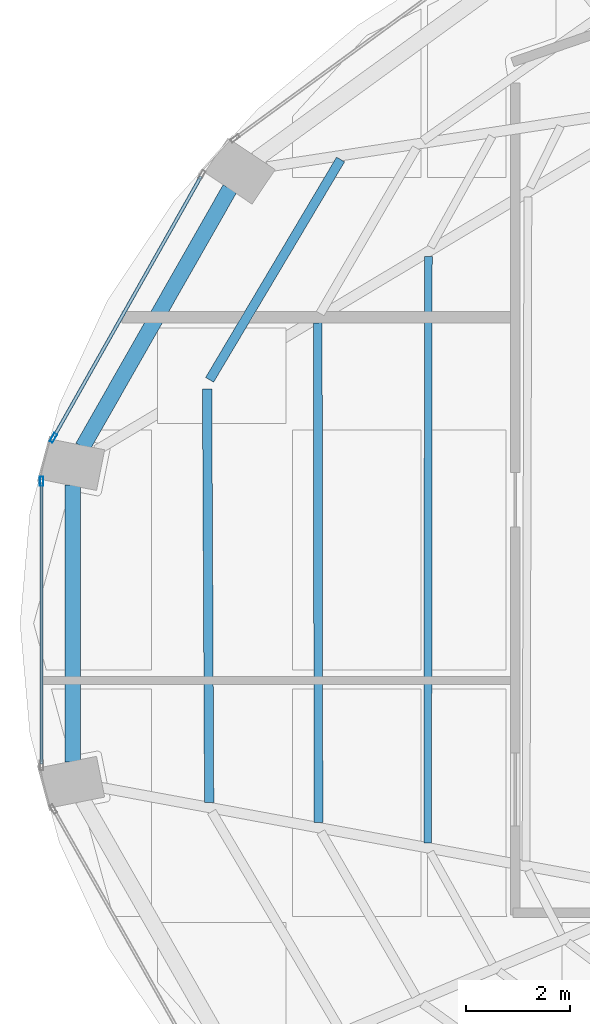
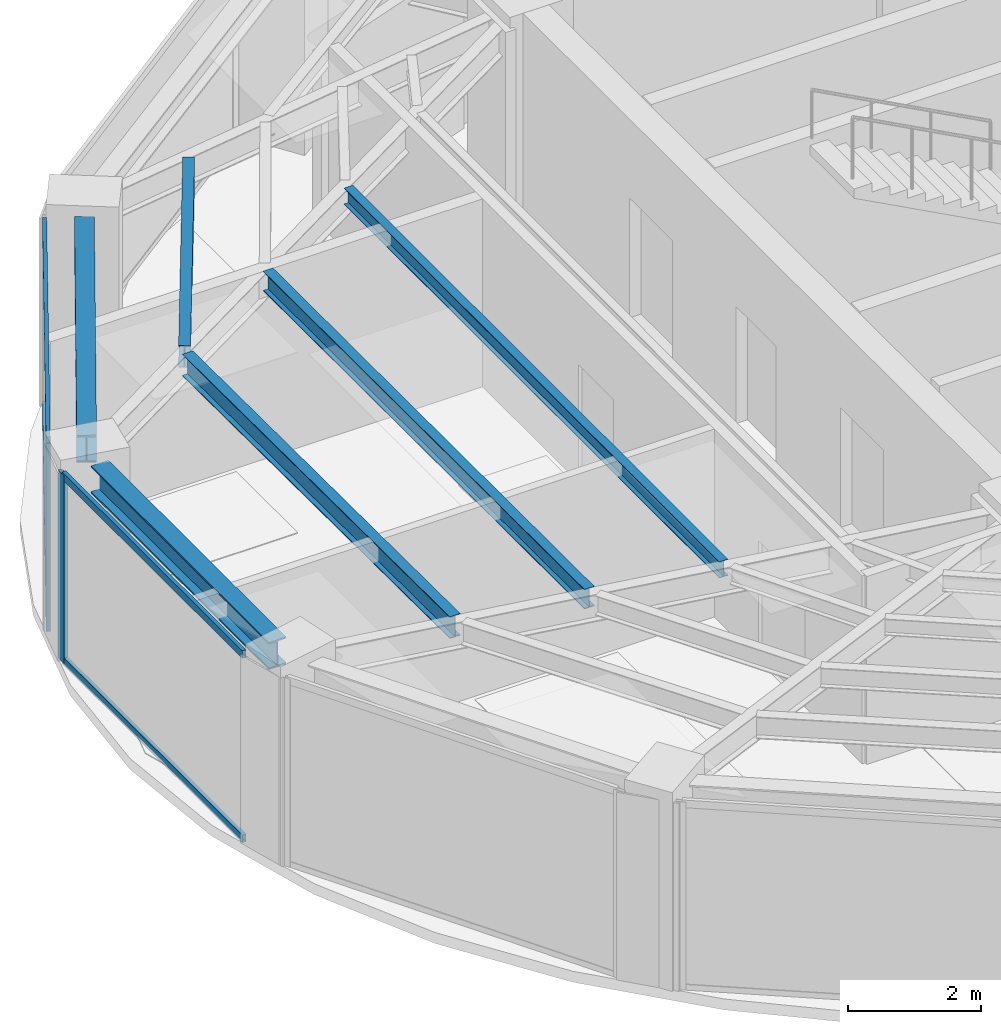
# One storey, part 8 of 22: 6 beams, 6 members, 2 elements without a shape of their own.
"""IFC4 building model written with IfcOpenShell, lengths in metres."""

from ifc_helpers import new_model, si_unit, direction, frame, origin, origin_2d, place, context, subcontext, project, spatial, hollow_rectangle, i_section, extrude, material, layer, layer_set, material_profile, profile_set, type_object, element, aggregate, save


model = new_model("IFC4")

# Units and contexts
model_context = context("Model", 3, precision=1e-05, world=origin(), true_north=direction((0.0, 1.0)))
body_context = subcontext(model_context, "Body", "Model", "MODEL_VIEW")
ifc_project = project(units=[si_unit("LENGTHUNIT", "METRE"), si_unit("AREAUNIT", "SQUARE_METRE"), si_unit("VOLUMEUNIT", "CUBIC_METRE"), si_unit("PLANEANGLEUNIT", "RADIAN"), si_unit("MASSUNIT", "GRAM", prefix="KILO")], contexts=[model_context])

# Site, building, storey
site_placement = place(None, origin())
site = spatial("IfcSite", under=ifc_project, at=site_placement, CompositionType="ELEMENT")
building_placement = place(site_placement, origin())
building = spatial("IfcBuilding", under=site, at=building_placement, Name="Lazwardi Medical Tower", CompositionType="ELEMENT")
storey_placement = place(building_placement, frame((0.0, 0.0, 238.60791015625)))
storey = spatial("IfcBuildingStorey", under=building, at=storey_placement, Name="L62", CompositionType="ELEMENT", Elevation=238.60791015625)

# Beams
ifc_material_1 = material(Name="Steel S355", Category="steel")
ifc_material_profile_1 = material_profile(ifc_material_1, i_section(OverallWidth=0.300048828125, OverallDepth=0.5, WebThickness=0.014404296875, FlangeThickness=0.028076171875, at=origin_2d()), Name="HEB 500")
ifc_profile_set_1 = profile_set([ifc_material_profile_1], Name="Steel S355")
beam_type_1 = type_object("IfcBeamType", Name="BM-RB-Z4", PredefinedType="BEAM", material=ifc_profile_set_1)
beam_1_placement = place(storey_placement, frame((17.84716796875, 33.983642578125, 3.197998046875), z_axis=(-0.495125273299, -0.868821594886, 0.0), x_axis=(0.868821594886, -0.495125273299, 0.0)))
element("IfcBeam", 1, at=beam_1_placement, inside=storey, type_object=beam_type_1, Name="Ring beam RB-05 B11 L62", PredefinedType="BEAM", context=body_context, shape_type="SweptSolid", body=[
    extrude(i_section(OverallWidth=0.300048828125, OverallDepth=0.5, WebThickness=0.014404296875, FlangeThickness=0.028076171875, at=origin_2d()), origin(), (0.0, 0.0, 1.0), 5.734130859375),
])
beam_2_placement = place(storey_placement, frame((14.81494140625, 28.27294921875, 3.197998046875), z_axis=(0.0, -1.0, 0.0), x_axis=(1.0, 0.0, 0.0)))
element("IfcBeam", 2, at=beam_2_placement, inside=storey, type_object=beam_type_1, Name="Ring beam RB-05 B12 L62", PredefinedType="BEAM", context=body_context, shape_type="SweptSolid", body=[
    extrude(i_section(OverallWidth=0.300048828125, OverallDepth=0.5, WebThickness=0.014404296875, FlangeThickness=0.028076171875, at=origin_2d()), origin(), (0.0, 0.0, 1.0), 5.345947265625),
])
ifc_material_profile_2 = material_profile(ifc_material_1, i_section(OverallWidth=0.179931640625, OverallDepth=0.39990234375, WebThickness=0.008544921875, FlangeThickness=0.013427734375, at=origin_2d()), Name="IPE 400")
ifc_profile_set_2 = profile_set([ifc_material_profile_2], Name="Steel S355")
beam_type_2 = type_object("IfcBeamType", Name="BM-SJ-01", PredefinedType="JOIST", material=ifc_profile_set_2)
beam_3_placement = place(storey_placement, frame((19.98095703125, 34.544921875, 3.248046875), z_axis=(-0.510967866251, -0.859599813668, 0.0), x_axis=(0.859599813668, -0.510967866251, 0.0)))
element("IfcBeam", 3, at=beam_3_placement, inside=storey, type_object=beam_type_2, Name="Secondary joist SJ-01 R1 B11 L62", PredefinedType="JOIST", context=body_context, shape_type="SweptSolid", body=[
    extrude(i_section(OverallWidth=0.179931640625, OverallDepth=0.39990234375, WebThickness=0.008544921875, FlangeThickness=0.013427734375, at=origin_2d()), origin(), (0.0, 0.0, 1.0), 4.94189453125),
])
beam_4_placement = place(storey_placement, frame((17.407958984375, 30.120361328125, 3.248046875), z_axis=(0.004929366644, -0.999987850598, 0.0), x_axis=(0.999987850598, 0.004929366644, 0.0)))
element("IfcBeam", 4, at=beam_4_placement, inside=storey, type_object=beam_type_2, Name="Secondary joist SJ-01 R1 B12 L62", PredefinedType="JOIST", context=body_context, shape_type="SweptSolid", body=[
    extrude(i_section(OverallWidth=0.179931640625, OverallDepth=0.39990234375, WebThickness=0.008544921875, FlangeThickness=0.013427734375, at=origin_2d()), origin(), (0.0, 0.0, 1.0), 7.973876953125),
])
ifc_material_profile_3 = material_profile(ifc_material_1, i_section(OverallWidth=0.169921875, OverallDepth=0.360107421875, WebThickness=0.008056640625, FlangeThickness=0.0126953125, at=origin_2d()), Name="IPE 360")
ifc_profile_set_3 = profile_set([ifc_material_profile_3], Name="Steel S355")
beam_type_3 = type_object("IfcBeamType", Name="BM-SJ-02", PredefinedType="JOIST", material=ifc_profile_set_3)
beam_5_placement = place(storey_placement, frame((19.541015625, 31.397705078125, 3.26806640625), z_axis=(0.001367606673, -0.999999064826, 0.0), x_axis=(0.999999064826, 0.001367606673, 0.0)))
element("IfcBeam", 5, at=beam_5_placement, inside=storey, type_object=beam_type_3, Name="Secondary joist SJ-02 R2 B12 L62", PredefinedType="JOIST", context=body_context, shape_type="SweptSolid", body=[
    extrude(i_section(OverallWidth=0.169921875, OverallDepth=0.360107421875, WebThickness=0.008056640625, FlangeThickness=0.0126953125, at=origin_2d()), origin(), (0.0, 0.0, 1.0), 9.639892578125),
])
ifc_material_profile_4 = material_profile(ifc_material_1, i_section(OverallWidth=0.14990234375, OverallDepth=0.300048828125, WebThickness=0.007080078125, FlangeThickness=0.0107421875, at=origin_2d()), Name="IPE 300")
ifc_profile_set_4 = profile_set([ifc_material_profile_4], Name="Steel S355")
beam_type_4 = type_object("IfcBeamType", Name="BM-SJ-03", PredefinedType="JOIST", material=ifc_profile_set_4)
beam_6_placement = place(storey_placement, frame((21.674072265625, 32.67529296875, 3.298095703125), z_axis=(-0.001166079235, -0.999999320129, 0.0), x_axis=(0.999999320129, -0.001166079235, 0.0)))
element("IfcBeam", 6, at=beam_6_placement, inside=storey, type_object=beam_type_4, Name="Secondary joist SJ-03 R3 B12 L62", PredefinedType="JOIST", context=body_context, shape_type="SweptSolid", body=[
    extrude(i_section(OverallWidth=0.14990234375, OverallDepth=0.300048828125, WebThickness=0.007080078125, FlangeThickness=0.0107421875, at=origin_2d()), origin(), (0.0, 0.0, 1.0), 11.305908203125),
])

# Curtain wall, member
ifc_material_2 = material(Name="Anodised bronze aluminium and solar control glazing", Category="aluminium")
ifc_layer = layer(ifc_material_2, 0.18994140625)
ifc_layer_set = layer_set([ifc_layer], Name="Anodised bronze aluminium and solar control glazing")
curtain_wall_type = type_object("IfcCurtainWallType", Name="CW-SYS-04", PredefinedType="NOTDEFINED", material=ifc_layer_set)
curtain_wall_1_placement = place(storey_placement, origin())
curtain_wall_1 = element("IfcCurtainWall", 7, at=curtain_wall_1_placement, inside=storey, type_object=curtain_wall_type, Name="L62 Unitised bronze curtain wall CW-04", PredefinedType="NOTDEFINED")
ifc_material_3 = material(Name="Anodised bronze aluminium", Category="aluminium")
ifc_material_profile_5 = material_profile(ifc_material_3, hollow_rectangle(XDim=0.06494140625, YDim=0.179931640625, WallThickness=0.00390625, at=origin_2d()), Name="ALU-MULLION 180x65x4")
ifc_profile_set_5 = profile_set([ifc_material_profile_5], Name="Anodised bronze aluminium")
member_type_1 = type_object("IfcMemberType", Name="CW-MUL-03", PredefinedType="MULLION", material=ifc_profile_set_5)
member_1_placement = place(storey_placement, frame((14.442626953125, 29.17822265625, 0.0), z_axis=(0.0, 0.0, 1.0), x_axis=(0.870651436011, -0.491900474661, 0.0)))
member_1 = element("IfcMember", 8, at=member_1_placement, type_object=member_type_1, Name="CW-04 mullion 2", PredefinedType="MULLION", context=body_context, shape_type="SweptSolid", body=[
    extrude(hollow_rectangle(XDim=0.06494140625, YDim=0.179931640625, WallThickness=0.00390625, at=origin_2d()), origin(), (0.0, 0.0, 1.0), 3.447998046875),
])

curtain_wall_2_placement = place(storey_placement, origin())
curtain_wall_2 = element("IfcCurtainWall", 9, at=curtain_wall_2_placement, inside=storey, type_object=curtain_wall_type, Name="L62 Unitised bronze curtain wall CW-04", PredefinedType="NOTDEFINED")
member_2_placement = place(storey_placement, frame((14.2158203125, 28.340576171875, 0.0), z_axis=(0.0, 0.0, 1.0), x_axis=(1.0, 0.0, 0.0)))
member_2 = element("IfcMember", 10, at=member_2_placement, type_object=member_type_1, Name="CW-04 mullion 1", PredefinedType="MULLION", context=body_context, shape_type="SweptSolid", body=[
    extrude(hollow_rectangle(XDim=0.06494140625, YDim=0.179931640625, WallThickness=0.00390625, at=origin_2d()), origin(), (0.0, 0.0, 1.0), 3.447998046875),
])

# Member
ifc_material_profile_6 = material_profile(ifc_material_3, hollow_rectangle(XDim=0.06494140625, YDim=0.139892578125, WallThickness=0.00341796875, at=origin_2d()), Name="ALU-TRANSOM 140x65x3.5")
ifc_profile_set_6 = profile_set([ifc_material_profile_6], Name="Anodised bronze aluminium")
member_type_2 = type_object("IfcMemberType", Name="CW-TRN-03", PredefinedType="USERDEFINED", material=ifc_profile_set_6)
member_3_placement = place(storey_placement, frame((17.28955078125, 34.21728515625, 0.032470703125), z_axis=(-0.491879719484, -0.87066316194, 0.0), x_axis=(0.87066316194, -0.491879719484, 0.0)))
member_3 = element("IfcMember", 11, at=member_3_placement, type_object=member_type_2, Name="CW-04 transom 1.1", ObjectType="TRANSOM", PredefinedType="USERDEFINED", context=body_context, shape_type="SweptSolid", body=[
    extrude(hollow_rectangle(XDim=0.06494140625, YDim=0.139892578125, WallThickness=0.00341796875, at=origin_2d()), origin(), (0.0, 0.0, 1.0), 5.755126953125),
])

member_4_placement = place(storey_placement, frame((17.28955078125, 34.21728515625, 3.41552734375), z_axis=(-0.491879719484, -0.87066316194, 0.0), x_axis=(0.87066316194, -0.491879719484, 0.0)))
member_4 = element("IfcMember", 12, at=member_4_placement, type_object=member_type_2, Name="CW-04 transom 1.2", ObjectType="TRANSOM", PredefinedType="USERDEFINED", context=body_context, shape_type="SweptSolid", body=[
    extrude(hollow_rectangle(XDim=0.06494140625, YDim=0.139892578125, WallThickness=0.00341796875, at=origin_2d()), origin(), (0.0, 0.0, 1.0), 5.755126953125),
])

aggregate(curtain_wall_1, [member_1, member_3, member_4])

member_5_placement = place(storey_placement, frame((14.2158203125, 28.30810546875, 0.032470703125), z_axis=(0.0, -1.0, 0.0), x_axis=(1.0, 0.0, 0.0)))
member_5 = element("IfcMember", 13, at=member_5_placement, type_object=member_type_2, Name="CW-04 transom 1.1", ObjectType="TRANSOM", PredefinedType="USERDEFINED", context=body_context, shape_type="SweptSolid", body=[
    extrude(hollow_rectangle(XDim=0.06494140625, YDim=0.139892578125, WallThickness=0.00341796875, at=origin_2d()), origin(), (0.0, 0.0, 1.0), 5.416015625),
])

member_6_placement = place(storey_placement, frame((14.2158203125, 28.30810546875, 3.41552734375), z_axis=(0.0, -1.0, 0.0), x_axis=(1.0, 0.0, 0.0)))
member_6 = element("IfcMember", 14, at=member_6_placement, type_object=member_type_2, Name="CW-04 transom 1.2", ObjectType="TRANSOM", PredefinedType="USERDEFINED", context=body_context, shape_type="SweptSolid", body=[
    extrude(hollow_rectangle(XDim=0.06494140625, YDim=0.139892578125, WallThickness=0.00341796875, at=origin_2d()), origin(), (0.0, 0.0, 1.0), 5.416015625),
])

aggregate(curtain_wall_2, [member_2, member_5, member_6])

save(model, "model.ifc")
